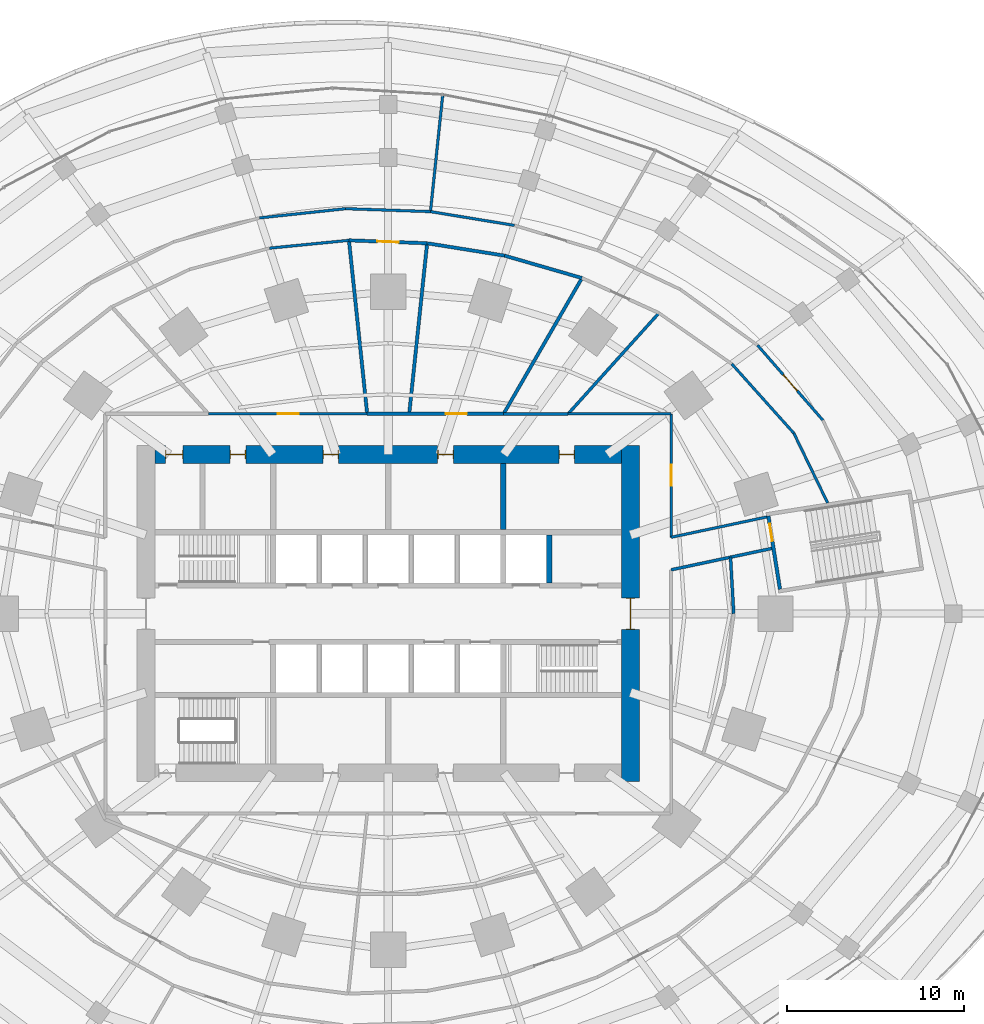
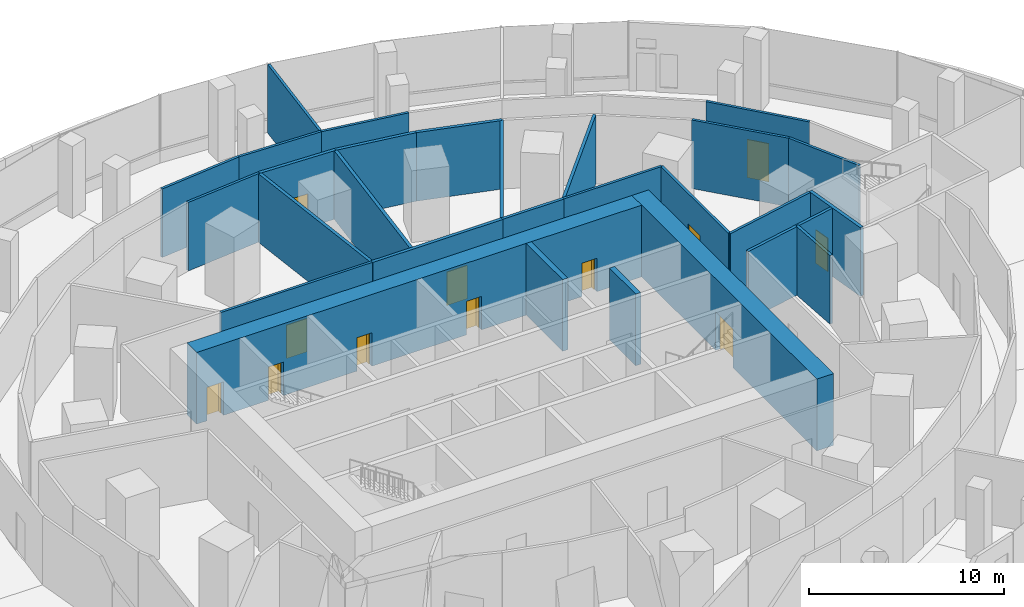
# One storey, part 22 of 27: 28 walls, 12 doors, 12 openings.
"""IFC4 building model written with IfcOpenShell, lengths in metres."""

from ifc_helpers import new_model, si_unit, direction, frame, frame_2d, origin, place, context, subcontext, project, spatial, rectangle, extrude, material, layer, layer_set, type_object, element, fill, save


model = new_model("IFC4")

# Units and contexts
model_context = context("Model", 3, precision=1e-05, world=origin(), true_north=direction((0.0, 1.0)))
body_context = subcontext(model_context, "Body", "Model", "MODEL_VIEW")
ifc_project = project(units=[si_unit("LENGTHUNIT", "METRE"), si_unit("AREAUNIT", "SQUARE_METRE"), si_unit("VOLUMEUNIT", "CUBIC_METRE"), si_unit("PLANEANGLEUNIT", "RADIAN"), si_unit("MASSUNIT", "GRAM", prefix="KILO")], contexts=[model_context])

# Site, building, storey
site_placement = place(None, origin())
site = spatial("IfcSite", under=ifc_project, at=site_placement, CompositionType="ELEMENT")
building_placement = place(site_placement, origin())
building = spatial("IfcBuilding", under=site, at=building_placement, Name="Marramba Exchange Tower", CompositionType="ELEMENT")
storey_placement = place(building_placement, frame((0.0, 0.0, 10.60009765625)))
storey = spatial("IfcBuildingStorey", under=building, at=storey_placement, Name="L02", CompositionType="ELEMENT", Elevation=10.60009765625)

# Walls
ifc_material_1 = material(Name="Plasterboard on staggered double steel studs, acoustic insulation", Category="steel")
ifc_layer_1 = layer(ifc_material_1, 0.169921875)
ifc_layer_set_1 = layer_set([ifc_layer_1], Name="Acoustic partition 170")
wall_type_1 = type_object("IfcWallType", Name="Acoustic partition 170", PredefinedType="PARTITIONING", material=ifc_layer_set_1)
wall_1_placement = place(storey_placement, frame((19.358154296875, 3.194580078125, 0.0), z_axis=(0.0, 0.0, 1.0), x_axis=(0.056843363857, -0.998383108824, 0.0)))
element("IfcWall", 1, at=wall_1_placement, inside=storey, type_object=wall_type_1, Name="Acoustic partition L02 59", PredefinedType="PARTITIONING", context=body_context, shape_type="SweptSolid", body=[
    extrude(rectangle(XDim=3.19970703125, YDim=0.169921875, at=frame_2d((1.599853515625, 0.0))), origin(), (0.0, 0.0, 1.0), 4.2998046875),
])
wall_2_placement = place(storey_placement, frame((16.0, 2.480712890625, 0.0), z_axis=(0.0, 0.0, 1.0), x_axis=(0.978144448143, 0.207926522038, 0.0)))
element("IfcWall", 2, at=wall_2_placement, inside=storey, type_object=wall_type_1, Name="Acoustic partition L02 60", PredefinedType="PARTITIONING", context=body_context, shape_type="SweptSolid", body=[
    extrude(rectangle(XDim=5.81689453125, YDim=0.169921875, at=frame_2d((2.908447265625, 0.0))), origin(), (0.0, 0.0, 1.0), 4.2998046875),
])
wall_3_placement = place(storey_placement, frame((10.174560546875, 11.300048828125, 0.0), z_axis=(0.0, 0.0, 1.0), x_axis=(0.669129902119, 0.743145459577, 0.0)))
element("IfcWall", 3, at=wall_3_placement, inside=storey, type_object=wall_type_1, Name="Acoustic partition L02 71", PredefinedType="PARTITIONING", context=body_context, shape_type="SweptSolid", body=[
    extrude(rectangle(XDim=7.675537109375, YDim=0.169921875, at=frame_2d((3.837890625, 0.0))), origin(), (0.0, 0.0, 1.0), 4.2998046875),
])
wall_4_placement = place(storey_placement, frame((10.174560546875, 11.300048828125, 0.0), z_axis=(0.0, 0.0, 1.0), x_axis=(-1.0, 0.0, 0.0)))
element("IfcWall", 4, at=wall_4_placement, inside=storey, type_object=wall_type_1, Name="Acoustic partition L02 72", PredefinedType="PARTITIONING", context=body_context, shape_type="SweptSolid", body=[
    extrude(rectangle(XDim=3.650390625, YDim=0.169921875, at=frame_2d((1.8251953125, 0.0))), origin(), (0.0, 0.0, 1.0), 4.2998046875),
])

# Wall, openings, doors
ifc_material_2 = material(Name="Concrete N50", Category="concrete")
ifc_layer_2 = layer(ifc_material_2, 1.0)
ifc_layer_set_2 = layer_set([ifc_layer_2], Name="Core wall 1000")
wall_type_2 = type_object("IfcWallType", Name="Core wall 1000", PredefinedType="SHEAR", material=ifc_layer_set_2)
wall_5_placement = place(storey_placement, frame((13.199951171875, 9.0, 0.0), z_axis=(0.0, 0.0, 1.0), x_axis=(-1.0, 0.0, 0.0)))
wall_5 = element("IfcWall", 5, at=wall_5_placement, inside=storey, type_object=wall_type_2, Name="Core wall N L02", PredefinedType="SHEAR", context=body_context, shape_type="SweptSolid", body=[
    extrude(rectangle(XDim=26.39990234375, YDim=1.0, at=frame_2d((13.199951171875, 0.0))), origin(), (0.0, 0.0, 1.0), 4.5),
])
opening_1_placement = place(wall_5_placement, frame((2.64990234375, 0.0, 0.0)))
opening_1 = element("IfcOpeningElement", 6, at=opening_1_placement, cuts=wall_5, Name="Opening D5", PredefinedType="OPENING", context=body_context, shape_type="SweptSolid", body=[
    extrude(rectangle(XDim=0.89990234375, YDim=2.10009765625, at=frame_2d((0.449951171875, 1.050048828125))), frame((0.0, 0.510009765625, 0.0), z_axis=(0.0, -1.0, 0.0), x_axis=(1.0, 0.0, 0.0)), (0.0, 0.0, 1.0), 1.02001953125),
])
opening_2_placement = place(wall_5_placement, frame((9.5, 0.0, 0.0)))
opening_2 = element("IfcOpeningElement", 7, at=opening_2_placement, cuts=wall_5, Name="Opening D3", PredefinedType="OPENING", context=body_context, shape_type="SweptSolid", body=[
    extrude(rectangle(XDim=0.89990234375, YDim=2.10009765625, at=frame_2d((0.449951171875, 1.050048828125))), frame((0.0, 0.510009765625, 0.0), z_axis=(0.0, -1.0, 0.0), x_axis=(1.0, 0.0, 0.0)), (0.0, 0.0, 1.0), 1.02001953125),
])
opening_3_placement = place(wall_5_placement, frame((16.0, 0.0, 0.0)))
opening_3 = element("IfcOpeningElement", 8, at=opening_3_placement, cuts=wall_5, Name="Opening D3", PredefinedType="OPENING", context=body_context, shape_type="SweptSolid", body=[
    extrude(rectangle(XDim=0.89990234375, YDim=2.10009765625, at=frame_2d((0.449951171875, 1.050048828125))), frame((0.0, 0.510009765625, 0.0), z_axis=(0.0, -1.0, 0.0), x_axis=(1.0, 0.0, 0.0)), (0.0, 0.0, 1.0), 1.02001953125),
])
opening_4_placement = place(wall_5_placement, frame((21.25, 0.0, 0.0)))
opening_4 = element("IfcOpeningElement", 9, at=opening_4_placement, cuts=wall_5, Name="Opening D5", PredefinedType="OPENING", context=body_context, shape_type="SweptSolid", body=[
    extrude(rectangle(XDim=0.89990234375, YDim=2.10009765625, at=frame_2d((0.449951171875, 1.050048828125))), frame((0.0, 0.510009765625, 0.0), z_axis=(0.0, -1.0, 0.0), x_axis=(1.0, 0.0, 0.0)), (0.0, 0.0, 1.0), 1.02001953125),
])
opening_5_placement = place(wall_5_placement, frame((24.800048828125, 0.0, 0.0)))
opening_5 = element("IfcOpeningElement", 10, at=opening_5_placement, cuts=wall_5, Name="Opening D4", PredefinedType="OPENING", context=body_context, shape_type="SweptSolid", body=[
    extrude(rectangle(XDim=1.0, YDim=2.10009765625, at=frame_2d((0.5, 1.050048828125))), frame((0.0, 0.510009765625, 0.0), z_axis=(0.0, -1.0, 0.0), x_axis=(1.0, 0.0, 0.0)), (0.0, 0.0, 1.0), 1.02001953125),
])
ifc_material_3 = material(Name="Steel-framed door", Category="steel")
door_type_1 = type_object("IfcDoorType", Name="Accessible toilet door 1000x2100", OperationType="SINGLE_SWING_LEFT", PredefinedType="DOOR", material=ifc_material_3)
door_1_placement = place(opening_5_placement, origin())
door_1 = element("IfcDoor", 11, at=door_1_placement, inside=storey, type_object=door_type_1, Name="D4 awc L02", OperationType="SINGLE_SWING_RIGHT", OverallHeight=2.10009765625, OverallWidth=1.0, PredefinedType="DOOR", context=body_context, shape_type="SweptSolid", body=[
    extrude(rectangle(XDim=0.919921875, YDim=2.06005859375, at=frame_2d((0.5, 1.030029296875))), frame((0.0, 0.02490234375, 0.0), z_axis=(0.0, -1.0, 0.0), x_axis=(1.0, 0.0, 0.0)), (0.0, 0.0, 1.0), 0.050048828125),
    extrude(rectangle(XDim=0.04, YDim=2.10009765625, at=frame_2d((0.02001953125, 1.050048828125))), frame((0.0, 0.25, 0.0), z_axis=(0.0, -1.0, 0.0), x_axis=(1.0, 0.0, 0.0)), (0.0, 0.0, 1.0), 0.5),
    extrude(rectangle(XDim=0.04, YDim=2.10009765625, at=frame_2d((0.97998046875, 1.050048828125))), frame((0.0, 0.25, 0.0), z_axis=(0.0, -1.0, 0.0), x_axis=(1.0, 0.0, 0.0)), (0.0, 0.0, 1.0), 0.5),
    extrude(rectangle(XDim=0.919921875, YDim=0.04, at=frame_2d((0.5, 2.080078125))), frame((0.0, 0.25, 0.0), z_axis=(0.0, -1.0, 0.0), x_axis=(1.0, 0.0, 0.0)), (0.0, 0.0, 1.0), 0.5),
])
fill(opening_5, door_1)
door_type_2 = type_object("IfcDoorType", Name="Service door 900x2100", OperationType="SINGLE_SWING_LEFT", PredefinedType="DOOR", material=ifc_material_3)
door_2_placement = place(opening_1_placement, origin())
door_2 = element("IfcDoor", 12, at=door_2_placement, inside=storey, type_object=door_type_2, Name="D5 comms L02", OperationType="SINGLE_SWING_LEFT", OverallHeight=2.10009765625, OverallWidth=0.89990234375, PredefinedType="DOOR", context=body_context, shape_type="SweptSolid", body=[
    extrude(rectangle(XDim=0.81982421875, YDim=2.06005859375, at=frame_2d((0.449951171875, 1.030029296875))), frame((0.0, 0.02490234375, 0.0), z_axis=(0.0, -1.0, 0.0), x_axis=(1.0, 0.0, 0.0)), (0.0, 0.0, 1.0), 0.050048828125),
    extrude(rectangle(XDim=0.04, YDim=2.10009765625, at=frame_2d((0.02001953125, 1.050048828125))), frame((0.0, 0.25, 0.0), z_axis=(0.0, -1.0, 0.0), x_axis=(1.0, 0.0, 0.0)), (0.0, 0.0, 1.0), 0.5),
    extrude(rectangle(XDim=0.04, YDim=2.10009765625, at=frame_2d((0.8798828125, 1.050048828125))), frame((0.0, 0.25, 0.0), z_axis=(0.0, -1.0, 0.0), x_axis=(1.0, 0.0, 0.0)), (0.0, 0.0, 1.0), 0.5),
    extrude(rectangle(XDim=0.81982421875, YDim=0.04, at=frame_2d((0.449951171875, 2.080078125))), frame((0.0, 0.25, 0.0), z_axis=(0.0, -1.0, 0.0), x_axis=(1.0, 0.0, 0.0)), (0.0, 0.0, 1.0), 0.5),
])
fill(opening_1, door_2)
door_3_placement = place(opening_4_placement, origin())
door_3 = element("IfcDoor", 13, at=door_3_placement, inside=storey, type_object=door_type_2, Name="D5 cleaner L02", OperationType="SINGLE_SWING_RIGHT", OverallHeight=2.10009765625, OverallWidth=0.89990234375, PredefinedType="DOOR", context=body_context, shape_type="SweptSolid", body=[
    extrude(rectangle(XDim=0.81982421875, YDim=2.06005859375, at=frame_2d((0.449951171875, 1.030029296875))), frame((0.0, 0.02490234375, 0.0), z_axis=(0.0, -1.0, 0.0), x_axis=(1.0, 0.0, 0.0)), (0.0, 0.0, 1.0), 0.050048828125),
    extrude(rectangle(XDim=0.04, YDim=2.10009765625, at=frame_2d((0.02001953125, 1.050048828125))), frame((0.0, 0.25, 0.0), z_axis=(0.0, -1.0, 0.0), x_axis=(1.0, 0.0, 0.0)), (0.0, 0.0, 1.0), 0.5),
    extrude(rectangle(XDim=0.04, YDim=2.10009765625, at=frame_2d((0.8798828125, 1.050048828125))), frame((0.0, 0.25, 0.0), z_axis=(0.0, -1.0, 0.0), x_axis=(1.0, 0.0, 0.0)), (0.0, 0.0, 1.0), 0.5),
    extrude(rectangle(XDim=0.81982421875, YDim=0.04, at=frame_2d((0.449951171875, 2.080078125))), frame((0.0, 0.25, 0.0), z_axis=(0.0, -1.0, 0.0), x_axis=(1.0, 0.0, 0.0)), (0.0, 0.0, 1.0), 0.5),
])
fill(opening_4, door_3)
door_type_3 = type_object("IfcDoorType", Name="Toilet door 900x2100", OperationType="SINGLE_SWING_LEFT", PredefinedType="DOOR", material=ifc_material_3)
door_4_placement = place(opening_2_placement, origin())
door_4 = element("IfcDoor", 14, at=door_4_placement, inside=storey, type_object=door_type_3, Name="D3 wc-f L02", OperationType="SINGLE_SWING_RIGHT", OverallHeight=2.10009765625, OverallWidth=0.89990234375, PredefinedType="DOOR", context=body_context, shape_type="SweptSolid", body=[
    extrude(rectangle(XDim=0.81982421875, YDim=2.06005859375, at=frame_2d((0.449951171875, 1.030029296875))), frame((0.0, 0.02490234375, 0.0), z_axis=(0.0, -1.0, 0.0), x_axis=(1.0, 0.0, 0.0)), (0.0, 0.0, 1.0), 0.050048828125),
    extrude(rectangle(XDim=0.04, YDim=2.10009765625, at=frame_2d((0.02001953125, 1.050048828125))), frame((0.0, 0.25, 0.0), z_axis=(0.0, -1.0, 0.0), x_axis=(1.0, 0.0, 0.0)), (0.0, 0.0, 1.0), 0.5),
    extrude(rectangle(XDim=0.04, YDim=2.10009765625, at=frame_2d((0.8798828125, 1.050048828125))), frame((0.0, 0.25, 0.0), z_axis=(0.0, -1.0, 0.0), x_axis=(1.0, 0.0, 0.0)), (0.0, 0.0, 1.0), 0.5),
    extrude(rectangle(XDim=0.81982421875, YDim=0.04, at=frame_2d((0.449951171875, 2.080078125))), frame((0.0, 0.25, 0.0), z_axis=(0.0, -1.0, 0.0), x_axis=(1.0, 0.0, 0.0)), (0.0, 0.0, 1.0), 0.5),
])
fill(opening_2, door_4)
door_5_placement = place(opening_3_placement, origin())
door_5 = element("IfcDoor", 15, at=door_5_placement, inside=storey, type_object=door_type_3, Name="D3 wc-m L02", OperationType="SINGLE_SWING_RIGHT", OverallHeight=2.10009765625, OverallWidth=0.89990234375, PredefinedType="DOOR", context=body_context, shape_type="SweptSolid", body=[
    extrude(rectangle(XDim=0.81982421875, YDim=2.06005859375, at=frame_2d((0.449951171875, 1.030029296875))), frame((0.0, 0.02490234375, 0.0), z_axis=(0.0, -1.0, 0.0), x_axis=(1.0, 0.0, 0.0)), (0.0, 0.0, 1.0), 0.050048828125),
    extrude(rectangle(XDim=0.04, YDim=2.10009765625, at=frame_2d((0.02001953125, 1.050048828125))), frame((0.0, 0.25, 0.0), z_axis=(0.0, -1.0, 0.0), x_axis=(1.0, 0.0, 0.0)), (0.0, 0.0, 1.0), 0.5),
    extrude(rectangle(XDim=0.04, YDim=2.10009765625, at=frame_2d((0.8798828125, 1.050048828125))), frame((0.0, 0.25, 0.0), z_axis=(0.0, -1.0, 0.0), x_axis=(1.0, 0.0, 0.0)), (0.0, 0.0, 1.0), 0.5),
    extrude(rectangle(XDim=0.81982421875, YDim=0.04, at=frame_2d((0.449951171875, 2.080078125))), frame((0.0, 0.25, 0.0), z_axis=(0.0, -1.0, 0.0), x_axis=(1.0, 0.0, 0.0)), (0.0, 0.0, 1.0), 0.5),
])
fill(opening_3, door_5)

# Wall, opening, door
wall_6_placement = place(storey_placement, frame((13.699951171875, -9.5, 0.0), z_axis=(0.0, 0.0, 1.0), x_axis=(0.0, 1.0, 0.0)))
wall_6 = element("IfcWall", 16, at=wall_6_placement, inside=storey, type_object=wall_type_2, Name="Core wall E L02", PredefinedType="SHEAR", context=body_context, shape_type="SweptSolid", body=[
    extrude(rectangle(XDim=19.0, YDim=1.0, at=frame_2d((9.5, 0.0))), origin(), (0.0, 0.0, 1.0), 4.5),
])
opening_6_placement = place(wall_6_placement, frame((8.60009765625, 0.0, 0.0)))
opening_6 = element("IfcOpeningElement", 17, at=opening_6_placement, cuts=wall_6, Name="Opening D1", PredefinedType="OPENING", context=body_context, shape_type="SweptSolid", body=[
    extrude(rectangle(XDim=1.800048828125, YDim=2.39990234375, at=frame_2d((0.89990234375, 1.199951171875))), frame((0.0, 0.510009765625, 0.0), z_axis=(0.0, -1.0, 0.0), x_axis=(1.0, 0.0, 0.0)), (0.0, 0.0, 1.0), 1.02001953125),
])
door_type_4 = type_object("IfcDoorType", Name="Lobby exit door 1800x2400", OperationType="DOUBLE_DOOR_SINGLE_SWING", PredefinedType="DOOR", material=ifc_material_3)
door_6_placement = place(opening_6_placement, origin())
door_6 = element("IfcDoor", 18, at=door_6_placement, inside=storey, type_object=door_type_4, Name="D1 lobby exit east L02", OperationType="DOUBLE_DOOR_SINGLE_SWING", OverallHeight=2.39990234375, OverallWidth=1.800048828125, PredefinedType="DOOR", context=body_context, shape_type="SweptSolid", body=[
    extrude(rectangle(XDim=1.719970703125, YDim=2.35986328125, at=frame_2d((0.89990234375, 1.179931640625))), frame((0.0, 0.02490234375, 0.0), z_axis=(0.0, -1.0, 0.0), x_axis=(1.0, 0.0, 0.0)), (0.0, 0.0, 1.0), 0.050048828125),
    extrude(rectangle(XDim=0.04, YDim=2.39990234375, at=frame_2d((0.02001953125, 1.199951171875))), frame((0.0, 0.25, 0.0), z_axis=(0.0, -1.0, 0.0), x_axis=(1.0, 0.0, 0.0)), (0.0, 0.0, 1.0), 0.5),
    extrude(rectangle(XDim=0.04, YDim=2.39990234375, at=frame_2d((1.780029296875, 1.199951171875))), frame((0.0, 0.25, 0.0), z_axis=(0.0, -1.0, 0.0), x_axis=(1.0, 0.0, 0.0)), (0.0, 0.0, 1.0), 0.5),
    extrude(rectangle(XDim=1.719970703125, YDim=0.04, at=frame_2d((0.89990234375, 2.3798828125))), frame((0.0, 0.25, 0.0), z_axis=(0.0, -1.0, 0.0), x_axis=(1.0, 0.0, 0.0)), (0.0, 0.0, 1.0), 0.5),
])
fill(opening_6, door_6)

# Walls
ifc_layer_3 = layer(ifc_material_2, 0.300048828125)
ifc_layer_set_3 = layer_set([ifc_layer_3], Name="Core wall 300")
wall_type_3 = type_object("IfcWallType", Name="Core wall 300", PredefinedType="SHEAR", material=ifc_layer_set_3)
wall_7_placement = place(storey_placement, frame((6.5, 4.75, 0.0), z_axis=(0.0, 0.0, 1.0), x_axis=(0.0, 1.0, 0.0)))
element("IfcWall", 19, at=wall_7_placement, inside=storey, type_object=wall_type_3, Name="Core wall X1Nb L02", PredefinedType="SHEAR", context=body_context, shape_type="SweptSolid", body=[
    extrude(rectangle(XDim=3.75, YDim=0.300048828125, at=frame_2d((1.875, 0.0))), origin(), (0.0, 0.0, 1.0), 4.5),
])
wall_8_placement = place(storey_placement, frame((9.10009765625, 1.75, 0.0), z_axis=(0.0, 0.0, 1.0), x_axis=(0.0, 1.0, 0.0)))
element("IfcWall", 20, at=wall_8_placement, inside=storey, type_object=wall_type_3, Name="Core wall ED L02", PredefinedType="SHEAR", context=body_context, shape_type="SweptSolid", body=[
    extrude(rectangle(XDim=2.699951171875, YDim=0.300048828125, at=frame_2d((1.35009765625, 0.0))), origin(), (0.0, 0.0, 1.0), 4.5),
])
ifc_material_4 = material(Name="Core-filled concrete blockwork, rendered", Category="masonry")
ifc_layer_4 = layer(ifc_material_4, 0.18994140625)
ifc_layer_set_4 = layer_set([ifc_layer_4], Name="Equipment room wall 190")
wall_type_4 = type_object("IfcWallType", Name="Equipment room wall 190", PredefinedType="SOLIDWALL", material=ifc_layer_set_4)
wall_9_placement = place(storey_placement, frame((6.524169921875, 11.300048828125, 0.0), z_axis=(0.0, 0.0, 1.0), x_axis=(0.499995604398, 0.866027941571, 0.0)))
element("IfcWall", 21, at=wall_9_placement, inside=storey, type_object=wall_type_4, Name="Equipment room wall L02 75", PredefinedType="SOLIDWALL", context=body_context, shape_type="SweptSolid", body=[
    extrude(rectangle(XDim=8.87158203125, YDim=0.18994140625, at=frame_2d((4.435791015625, 0.0))), origin(), (0.0, 0.0, 1.0), 4.2998046875),
])
wall_10_placement = place(storey_placement, frame((6.57958984375, 20.250244140625, 0.0), z_axis=(0.0, 0.0, 1.0), x_axis=(0.960617684211, -0.277873469014, 0.0)))
element("IfcWall", 22, at=wall_10_placement, inside=storey, type_object=wall_type_4, Name="Equipment room wall L02 77", PredefinedType="SOLIDWALL", context=body_context, shape_type="SweptSolid", body=[
    extrude(rectangle(XDim=4.56005859375, YDim=0.18994140625, at=frame_2d((2.280029296875, 0.0))), origin(), (0.0, 0.0, 1.0), 4.2998046875),
])

# Wall, opening, door
wall_11_placement = place(storey_placement, frame((6.524169921875, 11.300048828125, 0.0), z_axis=(0.0, 0.0, 1.0), x_axis=(-1.0, 0.0, 0.0)))
wall_11 = element("IfcWall", 23, at=wall_11_placement, inside=storey, type_object=wall_type_4, Name="Equipment room wall L02 79", PredefinedType="SOLIDWALL", context=body_context, shape_type="SweptSolid", body=[
    extrude(rectangle(XDim=7.7119140625, YDim=0.18994140625, at=frame_2d((3.85595703125, 0.0))), origin(), (0.0, 0.0, 1.0), 4.2998046875),
])
opening_7_placement = place(wall_11_placement, frame((2.068115234375, 0.0, 0.0)))
opening_7 = element("IfcOpeningElement", 24, at=opening_7_placement, cuts=wall_11, Name="Opening D16", PredefinedType="OPENING", context=body_context, shape_type="SweptSolid", body=[
    extrude(rectangle(XDim=1.199951171875, YDim=2.10009765625, at=frame_2d((0.60009765625, 1.050048828125))), frame((0.0, 0.10498046875, 0.0), z_axis=(0.0, -1.0, 0.0), x_axis=(1.0, 0.0, 0.0)), (0.0, 0.0, 1.0), 0.2099609375),
])
door_type_5 = type_object("IfcDoorType", Name="Equipment room door 1200x2100", OperationType="SINGLE_SWING_LEFT", PredefinedType="DOOR", material=ifc_material_3)
door_7_placement = place(opening_7_placement, origin())
door_7 = element("IfcDoor", 25, at=door_7_placement, inside=storey, type_object=door_type_5, Name="D16 UPS Room L02", OperationType="SINGLE_SWING_LEFT", OverallHeight=2.10009765625, OverallWidth=1.199951171875, PredefinedType="DOOR", context=body_context, shape_type="SweptSolid", body=[
    extrude(rectangle(XDim=1.199951171875, YDim=2.10009765625, at=frame_2d((0.60009765625, 1.050048828125))), frame((0.0, 0.02490234375, 0.0), z_axis=(0.0, -1.0, 0.0), x_axis=(1.0, 0.0, 0.0)), (0.0, 0.0, 1.0), 0.050048828125),
])
fill(opening_7, door_7)

# Walls
wall_12_placement = place(storey_placement, frame((2.201904296875, 20.94970703125, 0.0), z_axis=(0.0, 0.0, 1.0), x_axis=(0.987474630924, -0.157777860554, 0.0)))
element("IfcWall", 26, at=wall_12_placement, inside=storey, type_object=wall_type_4, Name="Equipment room wall L02 80", PredefinedType="SOLIDWALL", context=body_context, shape_type="SweptSolid", body=[
    extrude(rectangle(XDim=4.43310546875, YDim=0.18994140625, at=frame_2d((2.216552734375, 0.0))), origin(), (0.0, 0.0, 1.0), 4.2998046875),
])
wall_13_placement = place(storey_placement, frame((1.187744140625, 11.300048828125, 0.0), z_axis=(0.0, 0.0, 1.0), x_axis=(0.104522368483, 0.994522535937, 0.0)))
element("IfcWall", 27, at=wall_13_placement, inside=storey, type_object=wall_type_4, Name="Equipment room wall L02 82", PredefinedType="SOLIDWALL", context=body_context, shape_type="SweptSolid", body=[
    extrude(rectangle(XDim=9.702880859375, YDim=0.18994140625, at=frame_2d((4.8515625, 0.0))), origin(), (0.0, 0.0, 1.0), 4.2998046875),
])

# Wall, opening, door
wall_14_placement = place(storey_placement, frame((-2.219482421875, 21.115966796875, 0.0), z_axis=(0.0, 0.0, 1.0), x_axis=(0.999293736035, -0.037576975938, 0.0)))
wall_14 = element("IfcWall", 28, at=wall_14_placement, inside=storey, type_object=wall_type_4, Name="Equipment room wall L02 85", PredefinedType="SOLIDWALL", context=body_context, shape_type="SweptSolid", body=[
    extrude(rectangle(XDim=4.424560546875, YDim=0.18994140625, at=frame_2d((2.21240234375, 0.0))), origin(), (0.0, 0.0, 1.0), 4.2998046875),
])
opening_8_placement = place(wall_14_placement, frame((1.612060546875, 0.0, 0.0)))
opening_8 = element("IfcOpeningElement", 29, at=opening_8_placement, cuts=wall_14, Name="Opening D16", PredefinedType="OPENING", context=body_context, shape_type="SweptSolid", body=[
    extrude(rectangle(XDim=1.199951171875, YDim=2.10009765625, at=frame_2d((0.60009765625, 1.050048828125))), frame((0.0, 0.10498046875, 0.0), z_axis=(0.0, -1.0, 0.0), x_axis=(1.0, 0.0, 0.0)), (0.0, 0.0, 1.0), 0.2099609375),
])
door_8_placement = place(opening_8_placement, frame((1.199951171875, 0.0, 0.0), z_axis=(0.0, 0.0, 1.0), x_axis=(-1.0, 0.0, 0.0)))
door_8 = element("IfcDoor", 30, at=door_8_placement, inside=storey, type_object=door_type_5, Name="D16 Battery Room L02", OperationType="SINGLE_SWING_RIGHT", OverallHeight=2.10009765625, OverallWidth=1.199951171875, PredefinedType="DOOR", context=body_context, shape_type="SweptSolid", body=[
    extrude(rectangle(XDim=1.199951171875, YDim=2.10009765625, at=frame_2d((0.599853515625, 1.050048828125))), frame((0.0, 0.025146484375, 0.0), z_axis=(0.0, -1.0, 0.0), x_axis=(1.0, 0.0, 0.0)), (0.0, 0.0, 1.0), 0.050048828125),
])
fill(opening_8, door_8)

# Wall
wall_15_placement = place(storey_placement, frame((-1.187744140625, 11.300048828125, 0.0), z_axis=(0.0, 0.0, 1.0), x_axis=(-0.10453284543, 0.994521434775, 0.0)))
element("IfcWall", 31, at=wall_15_placement, inside=storey, type_object=wall_type_4, Name="Equipment room wall L02 86", PredefinedType="SOLIDWALL", context=body_context, shape_type="SweptSolid", body=[
    extrude(rectangle(XDim=9.869873046875, YDim=0.18994140625, at=frame_2d((4.93505859375, 0.0))), origin(), (0.0, 0.0, 1.0), 4.2998046875),
])

# Wall, opening, door
ifc_material_5 = material(Name="Concrete N40", Category="concrete")
ifc_layer_5 = layer(ifc_material_5, 0.199951171875)
ifc_layer_set_5 = layer_set([ifc_layer_5], Name="Stair core wall 200 N40")
wall_type_5 = type_object("IfcWallType", Name="Stair core wall 200 N40", PredefinedType="SOLIDWALL", material=ifc_layer_set_5)
wall_16_placement = place(storey_placement, frame((22.156494140625, 1.383056640625, 0.0), z_axis=(0.0, 0.0, 1.0), x_axis=(-0.156428225752, 0.987689328781, 0.0)))
wall_16 = element("IfcWall", 32, at=wall_16_placement, inside=storey, type_object=wall_type_5, Name="Stair shaft wall ST4 L02 W", PredefinedType="SOLIDWALL", context=body_context, shape_type="SweptSolid", body=[
    extrude(rectangle(XDim=4.199951171875, YDim=0.199951171875, at=frame_2d((2.10009765625, 0.0))), origin(), (0.0, 0.0, 1.0), 4.2998046875),
])
opening_9_placement = place(wall_16_placement, frame((2.760009765625, 0.0, 0.0)))
opening_9 = element("IfcOpeningElement", 33, at=opening_9_placement, cuts=wall_16, Name="Opening D2", PredefinedType="OPENING", context=body_context, shape_type="SweptSolid", body=[
    extrude(rectangle(XDim=1.0, YDim=2.10009765625, at=frame_2d((0.5, 1.050048828125))), frame((0.0, 0.10986328125, 0.0), z_axis=(0.0, -1.0, 0.0), x_axis=(1.0, 0.0, 0.0)), (0.0, 0.0, 1.0), 0.219970703125),
])
door_type_6 = type_object("IfcDoorType", Name="Stair door 1000x2100", OperationType="SINGLE_SWING_LEFT", PredefinedType="DOOR", material=ifc_material_3)
door_9_placement = place(opening_9_placement, frame((1.0, 0.0, 0.0), z_axis=(0.0, 0.0, 1.0), x_axis=(-1.0, 0.0, 0.0)))
door_9 = element("IfcDoor", 34, at=door_9_placement, inside=storey, type_object=door_type_6, Name="D2 stair ST4 L02", OperationType="SINGLE_SWING_LEFT", OverallHeight=2.10009765625, OverallWidth=1.0, PredefinedType="DOOR", context=body_context, shape_type="SweptSolid", body=[
    extrude(rectangle(XDim=1.0, YDim=2.10009765625, at=frame_2d((0.5, 1.050048828125))), frame((0.0, 0.025146484375, 0.0), z_axis=(0.0, -1.0, 0.0), x_axis=(1.0, 0.0, 0.0)), (0.0, 0.0, 1.0), 0.050048828125),
])
fill(opening_9, door_9)

# Walls
ifc_material_6 = material(Name="Fire-rated plasterboard on steel studs, acoustic insulation", Category="steel")
ifc_layer_6 = layer(ifc_material_6, 0.14990234375)
ifc_layer_set_6 = layer_set([ifc_layer_6], Name="Tenancy wall 150")
wall_type_6 = type_object("IfcWallType", Name="Tenancy wall 150", PredefinedType="PARTITIONING", material=ifc_layer_set_6)
wall_17_placement = place(storey_placement, frame((21.40771484375, 5.470458984375, 0.0), z_axis=(0.0, 0.0, 1.0), x_axis=(-0.978148748832, -0.207906289368, 0.0)))
element("IfcWall", 35, at=wall_17_placement, inside=storey, type_object=wall_type_6, Name="Tenancy wall L02 62", PredefinedType="PARTITIONING", context=body_context, shape_type="SweptSolid", body=[
    extrude(rectangle(XDim=5.528564453125, YDim=0.14990234375, at=frame_2d((2.76416015625, 0.0))), origin(), (0.0, 0.0, 1.0), 4.2998046875),
])
wall_18_placement = place(storey_placement, frame((22.9375, 10.21240234375, 0.0), z_axis=(0.0, 0.0, 1.0), x_axis=(0.436655701608, -0.899628700217, 0.0)))
element("IfcWall", 36, at=wall_18_placement, inside=storey, type_object=wall_type_6, Name="Tenancy wall L02 64", PredefinedType="PARTITIONING", context=body_context, shape_type="SweptSolid", body=[
    extrude(rectangle(XDim=4.387939453125, YDim=0.14990234375, at=frame_2d((2.19384765625, 0.0))), origin(), (0.0, 0.0, 1.0), 4.2998046875),
])

# Wall, opening, door
wall_19_placement = place(storey_placement, frame((16.0, 4.321044921875, 0.0), z_axis=(0.0, 0.0, 1.0), x_axis=(0.0, 1.0, 0.0)))
wall_19 = element("IfcWall", 37, at=wall_19_placement, inside=storey, type_object=wall_type_6, Name="Tenancy wall L02 65", PredefinedType="PARTITIONING", context=body_context, shape_type="SweptSolid", body=[
    extrude(rectangle(XDim=6.97900390625, YDim=0.14990234375, at=frame_2d((3.489501953125, 0.0))), origin(), (0.0, 0.0, 1.0), 4.2998046875),
])
opening_10_placement = place(wall_19_placement, frame((2.9150390625, 0.0, 0.0)))
opening_10 = element("IfcOpeningElement", 38, at=opening_10_placement, cuts=wall_19, Name="Opening D13", PredefinedType="OPENING", context=body_context, shape_type="SweptSolid", body=[
    extrude(rectangle(XDim=1.199951171875, YDim=2.39990234375, at=frame_2d((0.60009765625, 1.199951171875))), frame((0.0, 0.0849609375, 0.0), z_axis=(0.0, -1.0, 0.0), x_axis=(1.0, 0.0, 0.0)), (0.0, 0.0, 1.0), 0.169921875),
])
door_type_7 = type_object("IfcDoorType", Name="Tenancy entry door 1200x2400", OperationType="SINGLE_SWING_LEFT", PredefinedType="DOOR", material=ifc_material_3)
door_10_placement = place(opening_10_placement, origin())
door_10 = element("IfcDoor", 39, at=door_10_placement, inside=storey, type_object=door_type_7, Name="D13 Incident Management Room L02", OperationType="SINGLE_SWING_RIGHT", OverallHeight=2.39990234375, OverallWidth=1.199951171875, PredefinedType="DOOR", context=body_context, shape_type="SweptSolid", body=[
    extrude(rectangle(XDim=1.199951171875, YDim=2.39990234375, at=frame_2d((0.60009765625, 1.199951171875))), frame((0.0, 0.02490234375, 0.0), z_axis=(0.0, -1.0, 0.0), x_axis=(1.0, 0.0, 0.0)), (0.0, 0.0, 1.0), 0.050048828125),
])
fill(opening_10, door_10)

# Wall
wall_20_placement = place(storey_placement, frame((19.435791015625, 14.12109375, 0.0), z_axis=(0.0, 0.0, 1.0), x_axis=(0.667266603128, -0.744818958103, 0.0)))
element("IfcWall", 40, at=wall_20_placement, inside=storey, type_object=wall_type_6, Name="Tenancy wall L02 66", PredefinedType="PARTITIONING", context=body_context, shape_type="SweptSolid", body=[
    extrude(rectangle(XDim=5.247802734375, YDim=0.14990234375, at=frame_2d((2.6240234375, 0.0))), origin(), (0.0, 0.0, 1.0), 4.2998046875),
])

# Wall, opening, door
wall_21_placement = place(storey_placement, frame((24.581787109375, 10.944580078125, 0.0), z_axis=(0.0, 0.0, 1.0), x_axis=(-0.656952161656, 0.753932263069, 0.0)))
wall_21 = element("IfcWall", 41, at=wall_21_placement, inside=storey, type_object=wall_type_6, Name="Tenancy wall L02 67", PredefinedType="PARTITIONING", context=body_context, shape_type="SweptSolid", body=[
    extrude(rectangle(XDim=5.616455078125, YDim=0.14990234375, at=frame_2d((2.80810546875, 0.0))), origin(), (0.0, 0.0, 1.0), 4.2998046875),
])
opening_11_placement = place(wall_21_placement, frame((2.2080078125, 0.0, 0.0)))
opening_11 = element("IfcOpeningElement", 42, at=opening_11_placement, cuts=wall_21, Name="Opening D13", PredefinedType="OPENING", context=body_context, shape_type="SweptSolid", body=[
    extrude(rectangle(XDim=1.199951171875, YDim=2.39990234375, at=frame_2d((0.60009765625, 1.199951171875))), frame((0.0, 0.0849609375, 0.0), z_axis=(0.0, -1.0, 0.0), x_axis=(1.0, 0.0, 0.0)), (0.0, 0.0, 1.0), 0.169921875),
])
door_11_placement = place(opening_11_placement, origin())
door_11 = element("IfcDoor", 43, at=door_11_placement, inside=storey, type_object=door_type_7, Name="D13 Operations Office L02", OperationType="SINGLE_SWING_LEFT", OverallHeight=2.39990234375, OverallWidth=1.199951171875, PredefinedType="DOOR", context=body_context, shape_type="SweptSolid", body=[
    extrude(rectangle(XDim=1.199951171875, YDim=2.39990234375, at=frame_2d((0.60009765625, 1.199951171875))), frame((0.0, 0.02490234375, 0.0), z_axis=(0.0, -1.0, 0.0), x_axis=(1.0, 0.0, 0.0)), (0.0, 0.0, 1.0), 0.050048828125),
])
fill(opening_11, door_11)

# Walls
wall_22_placement = place(storey_placement, frame((16.0, 11.300048828125, 0.0), z_axis=(0.0, 0.0, 1.0), x_axis=(-1.0, 0.0, 0.0)))
element("IfcWall", 44, at=wall_22_placement, inside=storey, type_object=wall_type_6, Name="Tenancy wall L02 68", PredefinedType="PARTITIONING", context=body_context, shape_type="SweptSolid", body=[
    extrude(rectangle(XDim=5.825439453125, YDim=0.14990234375, at=frame_2d((2.91259765625, 0.0))), origin(), (0.0, 0.0, 1.0), 4.2998046875),
])
wall_23_placement = place(storey_placement, frame((7.135986328125, 21.962158203125, 0.0), z_axis=(0.0, 0.0, 1.0), x_axis=(-0.986833510284, 0.161739367445, 0.0)))
element("IfcWall", 45, at=wall_23_placement, inside=storey, type_object=wall_type_6, Name="Tenancy wall L02 81", PredefinedType="PARTITIONING", context=body_context, shape_type="SweptSolid", body=[
    extrude(rectangle(XDim=4.80908203125, YDim=0.14990234375, at=frame_2d((2.404541015625, 0.0))), origin(), (0.0, 0.0, 1.0), 4.2998046875),
])
wall_24_placement = place(storey_placement, frame((2.39013671875, 22.739990234375, 0.0), z_axis=(0.0, 0.0, 1.0), x_axis=(0.104506800139, 0.994524172016, 0.0)))
element("IfcWall", 46, at=wall_24_placement, inside=storey, type_object=wall_type_6, Name="Tenancy wall L02 83", PredefinedType="PARTITIONING", context=body_context, shape_type="SweptSolid", body=[
    extrude(rectangle(XDim=6.569091796875, YDim=0.14990234375, at=frame_2d((3.28466796875, 0.0))), origin(), (0.0, 0.0, 1.0), 4.2998046875),
])
wall_25_placement = place(storey_placement, frame((2.39013671875, 22.739990234375, 0.0), z_axis=(0.0, 0.0, 1.0), x_axis=(-0.999401824383, 0.034583137783, 0.0)))
element("IfcWall", 47, at=wall_25_placement, inside=storey, type_object=wall_type_6, Name="Tenancy wall L02 84", PredefinedType="PARTITIONING", context=body_context, shape_type="SweptSolid", body=[
    extrude(rectangle(XDim=4.800537109375, YDim=0.14990234375, at=frame_2d((2.400390625, 0.0))), origin(), (0.0, 0.0, 1.0), 4.2998046875),
])
wall_26_placement = place(storey_placement, frame((-2.407470703125, 22.906005859375, 0.0), z_axis=(0.0, 0.0, 1.0), x_axis=(-0.994294611229, -0.106668768067, 0.0)))
element("IfcWall", 48, at=wall_26_placement, inside=storey, type_object=wall_type_6, Name="Tenancy wall L02 87", PredefinedType="PARTITIONING", context=body_context, shape_type="SweptSolid", body=[
    extrude(rectangle(XDim=4.893310546875, YDim=0.14990234375, at=frame_2d((2.44677734375, 0.0))), origin(), (0.0, 0.0, 1.0), 4.2998046875),
])
wall_27_placement = place(storey_placement, frame((-6.716796875, 20.672119140625, 0.0), z_axis=(0.0, 0.0, 1.0), x_axis=(0.995165262559, 0.09821456204, 0.0)))
element("IfcWall", 49, at=wall_27_placement, inside=storey, type_object=wall_type_6, Name="Tenancy wall L02 88", PredefinedType="PARTITIONING", context=body_context, shape_type="SweptSolid", body=[
    extrude(rectangle(XDim=4.51904296875, YDim=0.14990234375, at=frame_2d((2.259521484375, 0.0))), origin(), (0.0, 0.0, 1.0), 4.2998046875),
])

# Wall, opening, door
wall_28_placement = place(storey_placement, frame((-1.187744140625, 11.300048828125, 0.0), z_axis=(0.0, 0.0, 1.0), x_axis=(-1.0, 0.0, 0.0)))
wall_28 = element("IfcWall", 50, at=wall_28_placement, inside=storey, type_object=wall_type_6, Name="Tenancy wall L02 91", PredefinedType="PARTITIONING", context=body_context, shape_type="SweptSolid", body=[
    extrude(rectangle(XDim=8.98681640625, YDim=0.14990234375, at=frame_2d((4.493408203125, 0.0))), origin(), (0.0, 0.0, 1.0), 4.2998046875),
])
opening_12_placement = place(wall_28_placement, frame((3.867919921875, 0.0, 0.0)))
opening_12 = element("IfcOpeningElement", 51, at=opening_12_placement, cuts=wall_28, Name="Opening D16", PredefinedType="OPENING", context=body_context, shape_type="SweptSolid", body=[
    extrude(rectangle(XDim=1.199951171875, YDim=2.10009765625, at=frame_2d((0.60009765625, 1.050048828125))), frame((0.0, 0.0849609375, 0.0), z_axis=(0.0, -1.0, 0.0), x_axis=(1.0, 0.0, 0.0)), (0.0, 0.0, 1.0), 0.169921875),
])
door_12_placement = place(opening_12_placement, origin())
door_12 = element("IfcDoor", 52, at=door_12_placement, inside=storey, type_object=door_type_5, Name="D16 CRAC Plant Room L02", OperationType="SINGLE_SWING_RIGHT", OverallHeight=2.10009765625, OverallWidth=1.199951171875, PredefinedType="DOOR", context=body_context, shape_type="SweptSolid", body=[
    extrude(rectangle(XDim=1.199951171875, YDim=2.10009765625, at=frame_2d((0.60009765625, 1.050048828125))), frame((0.0, 0.02490234375, 0.0), z_axis=(0.0, -1.0, 0.0), x_axis=(1.0, 0.0, 0.0)), (0.0, 0.0, 1.0), 0.050048828125),
])
fill(opening_12, door_12)

save(model, "model.ifc")
